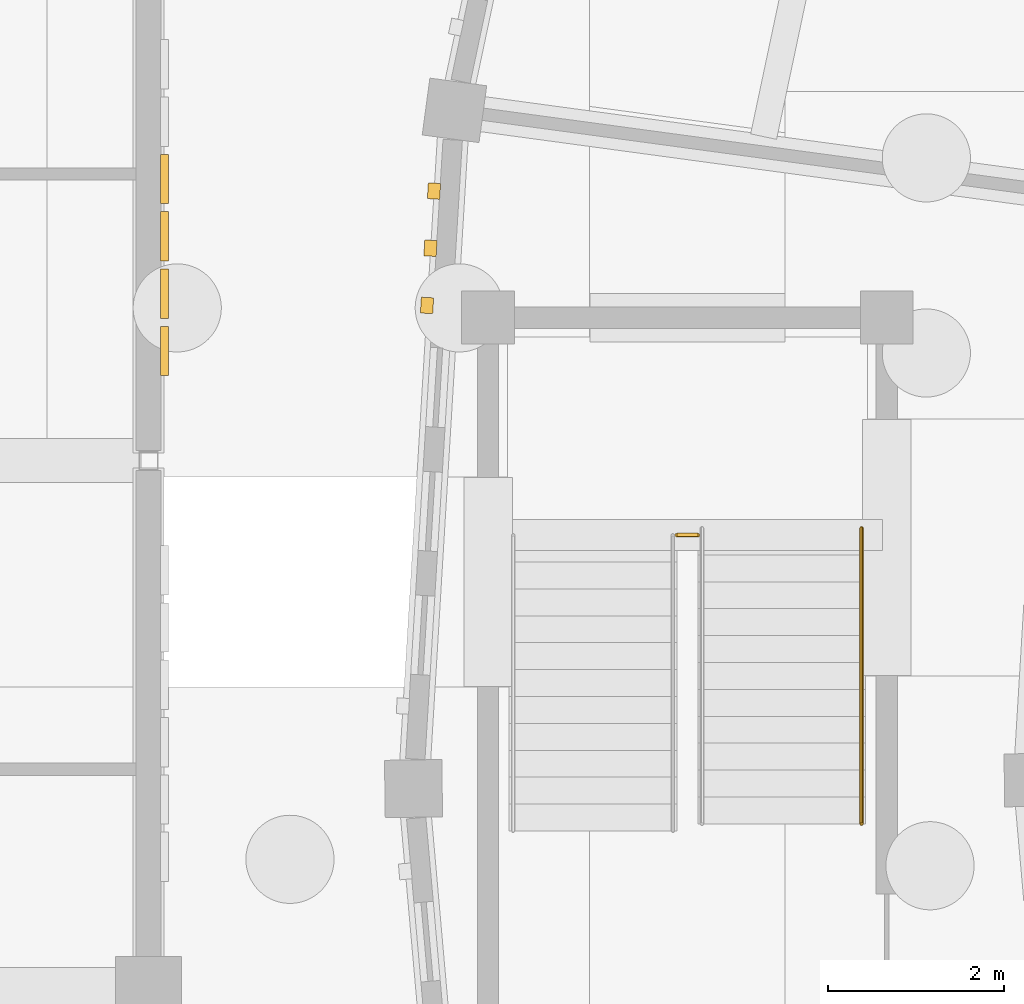
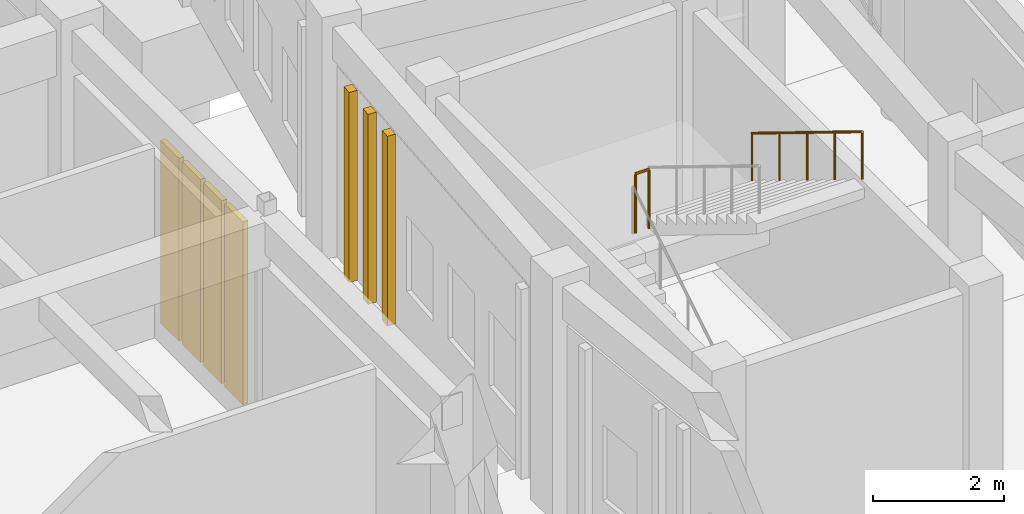
# One storey, part 142 of 153: 4 shading devices, 3 coverings, 2 railings.
"""IFC4 building model written with IfcOpenShell, lengths in metres."""

from ifc_helpers import new_model, si_unit, direction, frame, origin, origin_2d, place, context, subcontext, project, spatial, rectangle, circle, extrude, material, layer, layer_set, type_object, element, save


model = new_model("IFC4")

# Units and contexts
model_context = context("Model", 3, precision=1e-05, world=origin(), true_north=direction((0.0, 1.0)))
body_context = subcontext(model_context, "Body", "Model", "MODEL_VIEW")
ifc_project = project(units=[si_unit("LENGTHUNIT", "METRE"), si_unit("AREAUNIT", "SQUARE_METRE"), si_unit("VOLUMEUNIT", "CUBIC_METRE"), si_unit("PLANEANGLEUNIT", "RADIAN"), si_unit("MASSUNIT", "GRAM", prefix="KILO")], contexts=[model_context])

# Site, building, storey
site_placement = place(None, origin())
site = spatial("IfcSite", under=ifc_project, at=site_placement, CompositionType="ELEMENT")
building_placement = place(site_placement, origin())
building = spatial("IfcBuilding", under=site, at=building_placement, Name="Celadon Cloister-Ring School", CompositionType="ELEMENT")
storey_placement = place(building_placement, origin())
storey = spatial("IfcBuildingStorey", under=building, at=storey_placement, Name="L00", CompositionType="ELEMENT", Elevation=0.0)

# Coverings
ifc_material_1 = material(Name="Perforated terracotta clay brick masonry", Category="masonry")
ifc_layer = layer(ifc_material_1, 0.139892578125)
ifc_layer_set = layer_set([ifc_layer], Name="Perforated terracotta clay brick masonry")
covering_type = type_object("IfcCoveringType", Name="CV-SC1", PredefinedType="CLADDING", material=ifc_layer_set)
for number, where, z_axis, x_axis, name in (
    (1, (35.157958984375, 63.759033203125, 0.0), (0.0, 0.0, 1.0), (0.06028200911, 0.99818138601, 0.0), "Brick Screen Rib 0022"),
    (2, (35.197021484375, 64.407958984375, 0.0), (0.0, 0.0, 1.0), (0.06028200911, 0.99818138601, 0.0), "Brick Screen Rib 0023"),
    (3, (35.237060546875, 65.055908203125, 0.0), (0.0, 0.0, 1.0), (0.06028200911, 0.99818138601, 0.0), "Brick Screen Rib 0024"),
):
    element("IfcCovering", number, at=place(storey_placement, frame(where, z_axis=z_axis, x_axis=x_axis)), inside=storey, type_object=covering_type, Name=name, PredefinedType="CLADDING", context=body_context, shape_type="SweptSolid", body=[
        extrude(rectangle(XDim=0.179931640625, YDim=0.139892578125, at=origin_2d()), origin(), (0.0, 0.0, 1.0), 3.530029296875),
    ])

# Railings
ifc_material_2 = material(Name="Structural steel S355JR", Category="steel")
railing_type_1 = type_object("IfcRailingType", Name="RL-BL2", PredefinedType="BALUSTRADE", material=ifc_material_2)
railing_1_placement = place(storey_placement, frame((37.989990234375, 61.155029296875, 2.25)))
element("IfcRailing", 4, at=railing_1_placement, inside=storey, type_object=railing_type_1, Name="Interior Guard 0236", PredefinedType="BALUSTRADE", context=body_context, shape_type="SweptSolid", body=[
    extrude(circle(Radius=0.02392578125, at=origin_2d()), frame((0.0, 0.0, 1.09619140625), z_axis=(1.0, 0.0, 0.0), x_axis=(0.0, 1.0, 0.0)), (0.0, 0.0, 1.0), 0.239990234375),
    extrude(circle(Radius=0.02099609375, at=origin_2d()), origin(), (0.0, 0.0, 1.0), 1.072021484375),
    extrude(circle(Radius=0.02099609375, at=origin_2d()), frame((0.239990234375, 0.0, 0.0)), (0.0, 0.0, 1.0), 1.072021484375),
])
ifc_material_3 = material(Name="Structural steel S355JR", Category="steel")
railing_type_2 = type_object("IfcRailingType", Name="RL-HR1", PredefinedType="HANDRAIL", material=ifc_material_3)
railing_2_placement = place(storey_placement, frame((40.0849609375, 61.235107421875, 2.43798828125)))
element("IfcRailing", 5, at=railing_2_placement, inside=storey, type_object=railing_type_2, Name="Stair Handrail 0235", PredefinedType="HANDRAIL", context=body_context, shape_type="SweptSolid", body=[
    extrude(circle(Radius=0.02099609375, at=origin_2d()), frame((0.0, 0.0, 0.87890625), z_axis=(0.0, -0.851968929864, 0.523592343857), x_axis=(1.0, 0.0, 0.0)), (0.0, 0.0, 1.0), 3.938232421875),
    extrude(circle(Radius=0.01806640625, at=origin_2d()), origin(), (0.0, 0.0, 1.0), 0.85791015625),
    extrude(circle(Radius=0.01806640625, at=origin_2d()), frame((0.0, -0.8388671875, 0.515625)), (0.0, 0.0, 1.0), 0.85791015625),
    extrude(circle(Radius=0.01806640625, at=origin_2d()), frame((0.0, -1.677734375, 1.031005859375)), (0.0, 0.0, 1.0), 0.85791015625),
    extrude(circle(Radius=0.01806640625, at=origin_2d()), frame((0.0, -2.516357421875, 1.54638671875)), (0.0, 0.0, 1.0), 0.85791015625),
    extrude(circle(Radius=0.01806640625, at=origin_2d()), frame((0.0, -3.355224609375, 2.06201171875)), (0.0, 0.0, 1.0), 0.85791015625),
])

# Shading devices
ifc_material_4 = material(Name="Glazed celadon architectural terracotta", Category="masonry")
shading_device_type = type_object("IfcShadingDeviceType", Name="SD-02", PredefinedType="USERDEFINED", material=ifc_material_4)
for number, where, z_axis, x_axis, name in (
    (6, (32.181884765625, 65.193115234375, 0.0), (0.0, 0.0, 1.0), (0.0, -1.0, 0.0), "Celadon Sunshade Screen 0081"),
    (7, (32.181884765625, 64.54296875, 0.0), (0.0, 0.0, 1.0), (0.0, -1.0, 0.0), "Celadon Sunshade Screen 0082"),
    (8, (32.181884765625, 63.89306640625, 0.0), (0.0, 0.0, 1.0), (0.0, -1.0, 0.0), "Celadon Sunshade Screen 0083"),
    (9, (32.181884765625, 63.242919921875, 0.0), (0.0, 0.0, 1.0), (0.0, -1.0, 0.0), "Celadon Sunshade Screen 0084"),
):
    element("IfcShadingDevice", number, at=place(storey_placement, frame(where, z_axis=z_axis, x_axis=x_axis)), inside=storey, type_object=shading_device_type, Name=name, ObjectType="SUNSHADE", PredefinedType="USERDEFINED", context=body_context, shape_type="SweptSolid", body=[
        extrude(rectangle(XDim=0.56005859375, YDim=0.090087890625, at=origin_2d()), origin(), (0.0, 0.0, 1.0), 3.39990234375),
    ])

save(model, "model.ifc")
